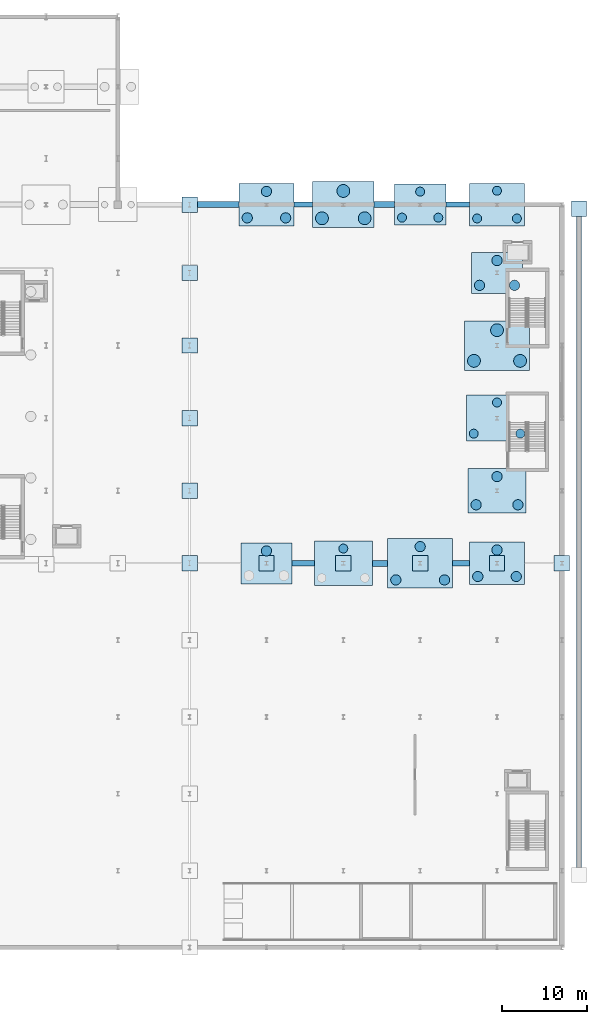
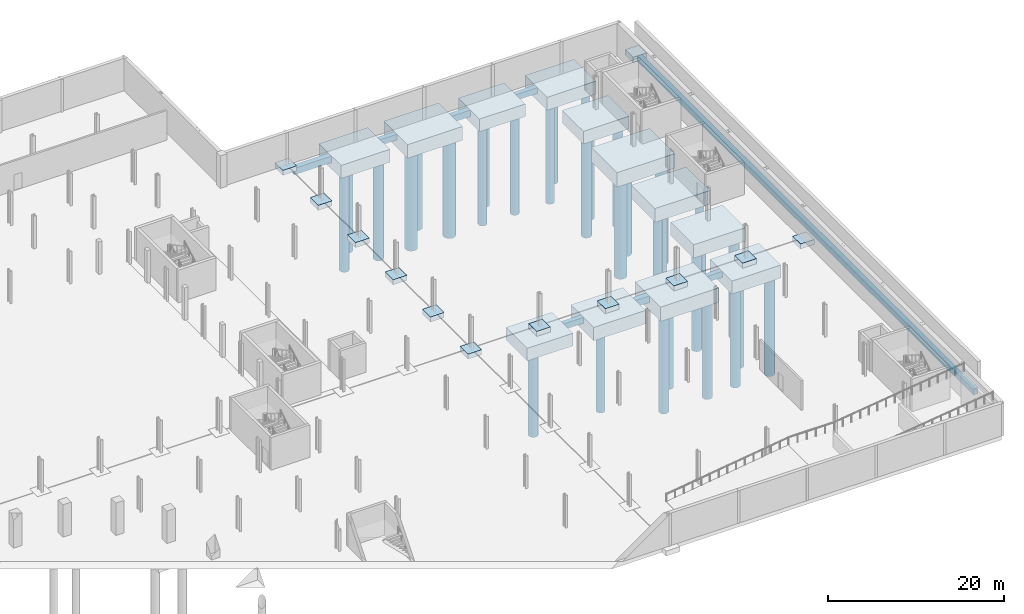
# One storey, part 3 of 45: 32 footings, 32 piles.
"""IFC4 building model written with IfcOpenShell, lengths in metres."""

from ifc_helpers import new_model, si_unit, direction, frame, origin, origin_2d, place, context, subcontext, project, spatial, rectangle, circle, extrude, material, material_profile, profile_set, type_object, element, save


model = new_model("IFC4")

# Units and contexts
model_context = context("Model", 3, precision=1e-05, world=origin(), true_north=direction((0.0, 1.0)))
body_context = subcontext(model_context, "Body", "Model", "MODEL_VIEW")
ifc_project = project(units=[si_unit("LENGTHUNIT", "METRE"), si_unit("AREAUNIT", "SQUARE_METRE"), si_unit("VOLUMEUNIT", "CUBIC_METRE"), si_unit("PLANEANGLEUNIT", "RADIAN"), si_unit("MASSUNIT", "GRAM", prefix="KILO")], contexts=[model_context])

# Site, building, storey
site_placement = place(None, origin())
site = spatial("IfcSite", under=ifc_project, at=site_placement, CompositionType="ELEMENT")
building_placement = place(site_placement, origin())
building = spatial("IfcBuilding", under=site, at=building_placement, Name="Sefraquen Railside Congress Hotel", CompositionType="ELEMENT")
storey_placement = place(building_placement, frame((0.0, 0.0, -4.5)))
storey = spatial("IfcBuildingStorey", under=building, at=storey_placement, Name="B01", CompositionType="ELEMENT", Elevation=-4.5)

# Footings
ifc_material_1 = material(Name="Concrete C40/50", Category="concrete")
footing_type_1 = type_object("IfcFootingType", Name="TF-FB-01", PredefinedType="FOOTING_BEAM", material=ifc_material_1)
footing_1_placement = place(storey_placement, frame((141.699951171875, 54.0, -1.5), z_axis=(0.0, 0.0, 1.0), x_axis=(1.0, 0.0, 0.0)))
element("IfcFooting", 1, at=footing_1_placement, inside=storey, type_object=footing_type_1, Name="Foundation tie beam FTG-FB-003", PredefinedType="FOOTING_BEAM", context=body_context, shape_type="SweptSolid", body=[
    extrude(rectangle(XDim=2.597900390625, YDim=0.60009765625, at=origin_2d()), origin(), (0.0, 0.0, 1.0), 0.800048828125),
])
footing_2_placement = place(storey_placement, frame((160.199951171875, 54.0, -1.5), z_axis=(0.0, 0.0, 1.0), x_axis=(1.0, 0.0, 0.0)))
element("IfcFooting", 2, at=footing_2_placement, inside=storey, type_object=footing_type_1, Name="Foundation tie beam FTG-FB-005", PredefinedType="FOOTING_BEAM", context=body_context, shape_type="SweptSolid", body=[
    extrude(rectangle(XDim=1.998046875, YDim=0.60009765625, at=origin_2d()), origin(), (0.0, 0.0, 1.0), 0.800048828125),
])
footing_3_placement = place(storey_placement, frame((141.699951171875, 96.0, -1.5), z_axis=(0.0, 0.0, 1.0), x_axis=(1.0, 0.0, 0.0)))
element("IfcFooting", 3, at=footing_3_placement, inside=storey, type_object=footing_type_1, Name="Foundation tie beam FTG-FB-017", PredefinedType="FOOTING_BEAM", context=body_context, shape_type="SweptSolid", body=[
    extrude(rectangle(XDim=2.197998046875, YDim=0.60009765625, at=origin_2d()), origin(), (0.0, 0.0, 1.0), 0.800048828125),
])
footing_4_placement = place(storey_placement, frame((159.800048828125, 96.0, -1.5), z_axis=(0.0, 0.0, 1.0), x_axis=(1.0, 0.0, 0.0)))
element("IfcFooting", 4, at=footing_4_placement, inside=storey, type_object=footing_type_1, Name="Foundation tie beam FTG-FB-019", PredefinedType="FOOTING_BEAM", context=body_context, shape_type="SweptSolid", body=[
    extrude(rectangle(XDim=2.798095703125, YDim=0.60009765625, at=origin_2d()), origin(), (0.0, 0.0, 1.0), 0.800048828125),
])
footing_5_placement = place(storey_placement, frame((174.0, 56.5, -0.7998046875), z_axis=(0.0, 0.0, 1.0), x_axis=(1.0, 0.0, 0.0)))
element("IfcFooting", 5, at=footing_5_placement, inside=storey, type_object=footing_type_1, Name="East walkway frost strip footing", PredefinedType="FOOTING_BEAM", context=body_context, shape_type="SweptSolid", body=[
    extrude(rectangle(XDim=0.60009765625, YDim=76.199951171875, at=origin_2d()), origin(), (0.0, 0.0, 1.0), 0.800048828125),
])
footing_type_2 = type_object("IfcFootingType", Name="TF-FB-02", PredefinedType="FOOTING_BEAM", material=ifc_material_1)
footing_6_placement = place(storey_placement, frame((150.699951171875, 54.0, -1.599853515625), z_axis=(0.0, 0.0, 1.0), x_axis=(1.0, 0.0, 0.0)))
element("IfcFooting", 6, at=footing_6_placement, inside=storey, type_object=footing_type_2, Name="Foundation tie beam FTG-FB-004", PredefinedType="FOOTING_BEAM", context=body_context, shape_type="SweptSolid", body=[
    extrude(rectangle(XDim=1.798095703125, YDim=0.699951171875, at=origin_2d()), origin(), (0.0, 0.0, 1.0), 0.89990234375),
])
footing_7_placement = place(storey_placement, frame((131.75, 96.0, -1.599853515625), z_axis=(0.0, 0.0, 1.0), x_axis=(1.0, 0.0, 0.0)))
element("IfcFooting", 7, at=footing_7_placement, inside=storey, type_object=footing_type_2, Name="Foundation tie beam FTG-FB-016", PredefinedType="FOOTING_BEAM", context=body_context, shape_type="SweptSolid", body=[
    extrude(rectangle(XDim=4.89794921875, YDim=0.699951171875, at=origin_2d()), origin(), (0.0, 0.0, 1.0), 0.89990234375),
])
footing_8_placement = place(storey_placement, frame((151.199951171875, 96.0, -1.599853515625), z_axis=(0.0, 0.0, 1.0), x_axis=(1.0, 0.0, 0.0)))
element("IfcFooting", 8, at=footing_8_placement, inside=storey, type_object=footing_type_2, Name="Foundation tie beam FTG-FB-018", PredefinedType="FOOTING_BEAM", context=body_context, shape_type="SweptSolid", body=[
    extrude(rectangle(XDim=2.39794921875, YDim=0.699951171875, at=origin_2d()), origin(), (0.0, 0.0, 1.0), 0.89990234375),
])
footing_type_3 = type_object("IfcFootingType", Name="TF-PC-14", PredefinedType="PILE_CAP", material=ifc_material_1)
for number, where, z_axis, x_axis, name in (
    (9, (137.39990234375, 54.0, -2.449951171875), (0.0, 0.0, 1.0), (1.0, 0.0, 0.0), "Reinforced concrete pile cap FTG-PC-001"),
    (10, (155.39990234375, 96.0, -2.449951171875), (0.0, 0.0, 1.0), (1.0, 0.0, 0.0), "Reinforced concrete pile cap FTG-PC-006"),
    (11, (164.39990234375, 88.0, -2.449951171875), (0.0, 0.0, 1.0), (1.0, 0.0, 0.0), "Reinforced concrete pile cap FTG-PC-011"),
):
    element("IfcFooting", number, at=place(storey_placement, frame(where, z_axis=z_axis, x_axis=x_axis)), inside=storey, type_object=footing_type_3, Name=name, PredefinedType="PILE_CAP", context=body_context, shape_type="SweptSolid", body=[
        extrude(rectangle(XDim=6.0, YDim=4.800048828125, at=origin_2d()), origin(), (0.0, 0.0, 1.0), 1.75),
    ])
footing_type_4 = type_object("IfcFootingType", Name="TF-PC-15", PredefinedType="PILE_CAP", material=ifc_material_1)
for number, where, z_axis, x_axis, name in (
    (12, (137.39990234375, 96.0, -2.5), (0.0, 0.0, 1.0), (1.0, 0.0, 0.0), "Reinforced concrete pile cap FTG-PC-002"),
    (13, (164.39990234375, 54.0, -2.5), (0.0, 0.0, 1.0), (1.0, 0.0, 0.0), "Reinforced concrete pile cap FTG-PC-007"),
    (14, (164.39990234375, 96.0, -2.5), (0.0, 0.0, 1.0), (1.0, 0.0, 0.0), "Reinforced concrete pile cap FTG-PC-012"),
):
    element("IfcFooting", number, at=place(storey_placement, frame(where, z_axis=z_axis, x_axis=x_axis)), inside=storey, type_object=footing_type_4, Name=name, PredefinedType="PILE_CAP", context=body_context, shape_type="SweptSolid", body=[
        extrude(rectangle(XDim=6.39990234375, YDim=5.0, at=origin_2d()), origin(), (0.0, 0.0, 1.0), 1.800048828125),
    ])
footing_type_5 = type_object("IfcFootingType", Name="TF-PC-16", PredefinedType="PILE_CAP", material=ifc_material_1)
for number, where, z_axis, x_axis, name in (
    (15, (146.39990234375, 54.0, -2.550048828125), (0.0, 0.0, 1.0), (1.0, 0.0, 0.0), "Reinforced concrete pile cap FTG-PC-003"),
    (16, (164.39990234375, 62.5, -2.550048828125), (0.0, 0.0, 1.0), (1.0, 0.0, 0.0), "Reinforced concrete pile cap FTG-PC-008"),
):
    element("IfcFooting", number, at=place(storey_placement, frame(where, z_axis=z_axis, x_axis=x_axis)), inside=storey, type_object=footing_type_5, Name=name, PredefinedType="PILE_CAP", context=body_context, shape_type="SweptSolid", body=[
        extrude(rectangle(XDim=6.800048828125, YDim=5.199951171875, at=origin_2d()), origin(), (0.0, 0.0, 1.0), 1.85009765625),
    ])
footing_type_6 = type_object("IfcFootingType", Name="TF-PC-17", PredefinedType="PILE_CAP", material=ifc_material_1)
for number, where, z_axis, x_axis, name in (
    (17, (146.39990234375, 96.0, -2.599853515625), (0.0, 0.0, 1.0), (1.0, 0.0, 0.0), "Reinforced concrete pile cap FTG-PC-004"),
    (18, (164.39990234375, 71.0, -2.599853515625), (0.0, 0.0, 1.0), (1.0, 0.0, 0.0), "Reinforced concrete pile cap FTG-PC-009"),
):
    element("IfcFooting", number, at=place(storey_placement, frame(where, z_axis=z_axis, x_axis=x_axis)), inside=storey, type_object=footing_type_6, Name=name, PredefinedType="PILE_CAP", context=body_context, shape_type="SweptSolid", body=[
        extrude(rectangle(XDim=7.199951171875, YDim=5.39990234375, at=origin_2d()), origin(), (0.0, 0.0, 1.0), 1.89990234375),
    ])
footing_type_7 = type_object("IfcFootingType", Name="TF-PC-18", PredefinedType="PILE_CAP", material=ifc_material_1)
for number, where, z_axis, x_axis, name in (
    (19, (155.39990234375, 54.0, -2.699951171875), (0.0, 0.0, 1.0), (1.0, 0.0, 0.0), "Reinforced concrete pile cap FTG-PC-005"),
    (20, (164.39990234375, 79.5, -2.699951171875), (0.0, 0.0, 1.0), (1.0, 0.0, 0.0), "Reinforced concrete pile cap FTG-PC-010"),
):
    element("IfcFooting", number, at=place(storey_placement, frame(where, z_axis=z_axis, x_axis=x_axis)), inside=storey, type_object=footing_type_7, Name=name, PredefinedType="PILE_CAP", context=body_context, shape_type="SweptSolid", body=[
        extrude(rectangle(XDim=7.60009765625, YDim=5.800048828125, at=origin_2d()), origin(), (0.0, 0.0, 1.0), 2.0),
    ])
footing_type_8 = type_object("IfcFootingType", Name="TF-PF-01", PredefinedType="PAD_FOOTING", material=ifc_material_1)
footing_9_placement = place(storey_placement, frame((174.0, 95.5, -0.75), z_axis=(0.0, 0.0, 1.0), x_axis=(1.0, 0.0, 0.0)))
element("IfcFooting", 21, at=footing_9_placement, inside=storey, type_object=footing_type_8, Name="East walkway north corner pad footing", PredefinedType="PAD_FOOTING", context=body_context, shape_type="SweptSolid", body=[
    extrude(rectangle(XDim=1.800048828125, YDim=1.800048828125, at=origin_2d()), origin(), (0.0, 0.0, 1.0), 0.75),
])
footing_type_9 = type_object("IfcFootingType", Name="TF-PF-05", PredefinedType="PAD_FOOTING", material=ifc_material_1)
for number, where, z_axis, x_axis, name in (
    (22, (128.39990234375, 54.0, -0.7001953125), (0.0, 0.0, 1.0), (1.0, 0.0, 0.0), "Movement joint column foundation pedestal 08"),
    (23, (128.39990234375, 62.5, -0.7001953125), (0.0, 0.0, 1.0), (1.0, 0.0, 0.0), "Movement joint column foundation pedestal 09"),
    (24, (128.39990234375, 71.0, -0.7001953125), (0.0, 0.0, 1.0), (1.0, 0.0, 0.0), "Movement joint column foundation pedestal 10"),
    (25, (128.39990234375, 79.5, -0.7001953125), (0.0, 0.0, 1.0), (1.0, 0.0, 0.0), "Movement joint column foundation pedestal 11"),
    (26, (128.39990234375, 88.0, -0.7001953125), (0.0, 0.0, 1.0), (1.0, 0.0, 0.0), "Movement joint column foundation pedestal 12"),
    (27, (128.39990234375, 96.0, -0.7001953125), (0.0, 0.0, 1.0), (1.0, 0.0, 0.0), "Movement joint column foundation pedestal 13"),
    (28, (164.39990234375, 54.0, -0.7001953125), (0.0, 0.0, 1.0), (1.0, 0.0, 0.0), "Movement joint column foundation pedestal 14"),
    (29, (172.0, 54.0, -0.7001953125), (0.0, 0.0, 1.0), (1.0, 0.0, 0.0), "Movement joint column foundation pedestal 15"),
    (30, (137.39990234375, 54.0, -0.7001953125), (0.0, 0.0, 1.0), (1.0, 0.0, 0.0), "Movement joint column foundation pedestal 16"),
    (31, (146.39990234375, 54.0, -0.7001953125), (0.0, 0.0, 1.0), (1.0, 0.0, 0.0), "Movement joint column foundation pedestal 17"),
    (32, (155.39990234375, 54.0, -0.7001953125), (0.0, 0.0, 1.0), (1.0, 0.0, 0.0), "Movement joint column foundation pedestal 18"),
):
    element("IfcFooting", number, at=place(storey_placement, frame(where, z_axis=z_axis, x_axis=x_axis)), inside=storey, type_object=footing_type_9, Name=name, PredefinedType="PAD_FOOTING", context=body_context, shape_type="SweptSolid", body=[
        extrude(rectangle(XDim=1.800048828125, YDim=1.800048828125, at=origin_2d()), origin(), (0.0, 0.0, 1.0), 0.699951171875),
    ])

# Piles
ifc_material_2 = material(Name="Concrete C35/45", Category="concrete")
ifc_material_profile_1 = material_profile(ifc_material_2, circle(Radius=0.52490234375, at=origin_2d()), Name="BORED PILE 1050")
ifc_profile_set_1 = profile_set([ifc_material_profile_1], Name="Concrete C35/45")
pile_type_1 = type_object("IfcPileType", Name="TPL-BP-1050", PredefinedType="BORED", material=ifc_profile_set_1)
pile_1_placement = place(storey_placement, frame((146.39990234375, 55.72509765625, -2.449951171875), z_axis=(0.0, 0.0, -1.0), x_axis=(1.0, 0.0, 0.0)))
element("IfcPile", 33, at=pile_1_placement, inside=storey, type_object=pile_type_1, Name="Bored foundation pile PIL-B01-045", PredefinedType="BORED", context=body_context, shape_type="SweptSolid", body=[
    extrude(circle(Radius=0.52490234375, at=origin_2d()), origin(), (0.0, 0.0, 1.0), 13.550048828125),
])
for number, where, z_axis, x_axis, name in (
    (34, (153.27490234375, 94.47509765625, -2.35009765625), (0.0, 0.0, -1.0), (1.0, 0.0, 0.0), "Bored foundation pile PIL-B01-052"),
    (35, (157.52490234375, 94.47509765625, -2.35009765625), (0.0, 0.0, -1.0), (1.0, 0.0, 0.0), "Bored foundation pile PIL-B01-053"),
    (36, (155.39990234375, 97.52490234375, -2.35009765625), (0.0, 0.0, -1.0), (1.0, 0.0, 0.0), "Bored foundation pile PIL-B01-054"),
):
    element("IfcPile", number, at=place(storey_placement, frame(where, z_axis=z_axis, x_axis=x_axis)), inside=storey, type_object=pile_type_1, Name=name, PredefinedType="BORED", context=body_context, shape_type="SweptSolid", body=[
        extrude(circle(Radius=0.52490234375, at=origin_2d()), origin(), (0.0, 0.0, 1.0), 13.64990234375),
    ])
for number, where, z_axis, x_axis, name in (
    (37, (161.675048828125, 69.175048828125, -2.5), (0.0, 0.0, -1.0), (1.0, 0.0, 0.0), "Bored foundation pile PIL-B01-061"),
    (38, (167.125, 69.175048828125, -2.5), (0.0, 0.0, -1.0), (1.0, 0.0, 0.0), "Bored foundation pile PIL-B01-062"),
    (39, (164.39990234375, 72.824951171875, -2.5), (0.0, 0.0, -1.0), (1.0, 0.0, 0.0), "Bored foundation pile PIL-B01-063"),
):
    element("IfcPile", number, at=place(storey_placement, frame(where, z_axis=z_axis, x_axis=x_axis)), inside=storey, type_object=pile_type_1, Name=name, PredefinedType="BORED", context=body_context, shape_type="SweptSolid", body=[
        extrude(circle(Radius=0.52490234375, at=origin_2d()), origin(), (0.0, 0.0, 1.0), 13.5),
    ])
for number, where, z_axis, x_axis, name in (
    (40, (162.074951171875, 94.375, -2.39990234375), (0.0, 0.0, -1.0), (1.0, 0.0, 0.0), "Bored foundation pile PIL-B01-070"),
    (41, (166.72509765625, 94.375, -2.39990234375), (0.0, 0.0, -1.0), (1.0, 0.0, 0.0), "Bored foundation pile PIL-B01-071"),
    (42, (164.39990234375, 97.625, -2.39990234375), (0.0, 0.0, -1.0), (1.0, 0.0, 0.0), "Bored foundation pile PIL-B01-072"),
):
    element("IfcPile", number, at=place(storey_placement, frame(where, z_axis=z_axis, x_axis=x_axis)), inside=storey, type_object=pile_type_1, Name=name, PredefinedType="BORED", context=body_context, shape_type="SweptSolid", body=[
        extrude(circle(Radius=0.52490234375, at=origin_2d()), origin(), (0.0, 0.0, 1.0), 13.60009765625),
    ])
ifc_material_profile_2 = material_profile(ifc_material_2, circle(Radius=0.60009765625, at=origin_2d()), Name="BORED PILE 1200")
ifc_profile_set_2 = profile_set([ifc_material_profile_2], Name="Concrete C35/45")
pile_type_2 = type_object("IfcPileType", Name="TPL-BP-1200", PredefinedType="BORED", material=ifc_profile_set_2)
pile_2_placement = place(storey_placement, frame((137.39990234375, 55.449951171875, -2.35009765625), z_axis=(0.0, 0.0, -1.0), x_axis=(1.0, 0.0, 0.0)))
element("IfcPile", 43, at=pile_2_placement, inside=storey, type_object=pile_type_2, Name="Bored foundation pile PIL-B01-039", PredefinedType="BORED", context=body_context, shape_type="SweptSolid", body=[
    extrude(circle(Radius=0.60009765625, at=origin_2d()), origin(), (0.0, 0.0, 1.0), 13.64990234375),
])
for number, where, z_axis, x_axis, name in (
    (44, (135.14990234375, 94.449951171875, -2.39990234375), (0.0, 0.0, -1.0), (1.0, 0.0, 0.0), "Bored foundation pile PIL-B01-040"),
    (45, (139.64990234375, 94.449951171875, -2.39990234375), (0.0, 0.0, -1.0), (1.0, 0.0, 0.0), "Bored foundation pile PIL-B01-041"),
    (46, (137.39990234375, 97.550048828125, -2.39990234375), (0.0, 0.0, -1.0), (1.0, 0.0, 0.0), "Bored foundation pile PIL-B01-042"),
):
    element("IfcPile", number, at=place(storey_placement, frame(where, z_axis=z_axis, x_axis=x_axis)), inside=storey, type_object=pile_type_2, Name=name, PredefinedType="BORED", context=body_context, shape_type="SweptSolid", body=[
        extrude(circle(Radius=0.60009765625, at=origin_2d()), origin(), (0.0, 0.0, 1.0), 13.60009765625),
    ])
for number, where, z_axis, x_axis, name in (
    (47, (152.550048828125, 52.050048828125, -2.60009765625), (0.0, 0.0, -1.0), (1.0, 0.0, 0.0), "Bored foundation pile PIL-B01-049"),
    (48, (158.25, 52.050048828125, -2.60009765625), (0.0, 0.0, -1.0), (1.0, 0.0, 0.0), "Bored foundation pile PIL-B01-050"),
    (49, (155.39990234375, 55.949951171875, -2.60009765625), (0.0, 0.0, -1.0), (1.0, 0.0, 0.0), "Bored foundation pile PIL-B01-051"),
):
    element("IfcPile", number, at=place(storey_placement, frame(where, z_axis=z_axis, x_axis=x_axis)), inside=storey, type_object=pile_type_2, Name=name, PredefinedType="BORED", context=body_context, shape_type="SweptSolid", body=[
        extrude(circle(Radius=0.60009765625, at=origin_2d()), origin(), (0.0, 0.0, 1.0), 13.39990234375),
    ])
for number, where, z_axis, x_axis, name in (
    (50, (162.14990234375, 52.449951171875, -2.39990234375), (0.0, 0.0, -1.0), (1.0, 0.0, 0.0), "Bored foundation pile PIL-B01-055"),
    (51, (166.64990234375, 52.449951171875, -2.39990234375), (0.0, 0.0, -1.0), (1.0, 0.0, 0.0), "Bored foundation pile PIL-B01-056"),
    (52, (164.39990234375, 55.550048828125, -2.39990234375), (0.0, 0.0, -1.0), (1.0, 0.0, 0.0), "Bored foundation pile PIL-B01-057"),
):
    element("IfcPile", number, at=place(storey_placement, frame(where, z_axis=z_axis, x_axis=x_axis)), inside=storey, type_object=pile_type_2, Name=name, PredefinedType="BORED", context=body_context, shape_type="SweptSolid", body=[
        extrude(circle(Radius=0.60009765625, at=origin_2d()), origin(), (0.0, 0.0, 1.0), 13.60009765625),
    ])
for number, where, z_axis, x_axis, name in (
    (53, (161.949951171875, 60.85009765625, -2.449951171875), (0.0, 0.0, -1.0), (1.0, 0.0, 0.0), "Bored foundation pile PIL-B01-058"),
    (54, (166.85009765625, 60.85009765625, -2.449951171875), (0.0, 0.0, -1.0), (1.0, 0.0, 0.0), "Bored foundation pile PIL-B01-059"),
    (55, (164.39990234375, 64.14990234375, -2.449951171875), (0.0, 0.0, -1.0), (1.0, 0.0, 0.0), "Bored foundation pile PIL-B01-060"),
):
    element("IfcPile", number, at=place(storey_placement, frame(where, z_axis=z_axis, x_axis=x_axis)), inside=storey, type_object=pile_type_2, Name=name, PredefinedType="BORED", context=body_context, shape_type="SweptSolid", body=[
        extrude(circle(Radius=0.60009765625, at=origin_2d()), origin(), (0.0, 0.0, 1.0), 13.550048828125),
    ])
for number, where, z_axis, x_axis, name in (
    (56, (162.35009765625, 86.550048828125, -2.35009765625), (0.0, 0.0, -1.0), (1.0, 0.0, 0.0), "Bored foundation pile PIL-B01-067"),
    (57, (166.449951171875, 86.550048828125, -2.35009765625), (0.0, 0.0, -1.0), (1.0, 0.0, 0.0), "Bored foundation pile PIL-B01-068"),
    (58, (164.39990234375, 89.449951171875, -2.35009765625), (0.0, 0.0, -1.0), (1.0, 0.0, 0.0), "Bored foundation pile PIL-B01-069"),
):
    element("IfcPile", number, at=place(storey_placement, frame(where, z_axis=z_axis, x_axis=x_axis)), inside=storey, type_object=pile_type_2, Name=name, PredefinedType="BORED", context=body_context, shape_type="SweptSolid", body=[
        extrude(circle(Radius=0.60009765625, at=origin_2d()), origin(), (0.0, 0.0, 1.0), 13.64990234375),
    ])
ifc_material_profile_3 = material_profile(ifc_material_2, circle(Radius=0.75, at=origin_2d()), Name="BORED PILE 1500")
ifc_profile_set_3 = profile_set([ifc_material_profile_3], Name="Concrete C35/45")
pile_type_3 = type_object("IfcPileType", Name="TPL-BP-1500", PredefinedType="BORED", material=ifc_profile_set_3)
for number, where, z_axis, x_axis, name in (
    (59, (143.89990234375, 94.39990234375, -2.5), (0.0, 0.0, -1.0), (1.0, 0.0, 0.0), "Bored foundation pile PIL-B01-046"),
    (60, (148.89990234375, 94.39990234375, -2.5), (0.0, 0.0, -1.0), (1.0, 0.0, 0.0), "Bored foundation pile PIL-B01-047"),
    (61, (146.39990234375, 97.60009765625, -2.5), (0.0, 0.0, -1.0), (1.0, 0.0, 0.0), "Bored foundation pile PIL-B01-048"),
):
    element("IfcPile", number, at=place(storey_placement, frame(where, z_axis=z_axis, x_axis=x_axis)), inside=storey, type_object=pile_type_3, Name=name, PredefinedType="BORED", context=body_context, shape_type="SweptSolid", body=[
        extrude(circle(Radius=0.75, at=origin_2d()), origin(), (0.0, 0.0, 1.0), 13.5),
    ])
for number, where, z_axis, x_axis, name in (
    (62, (161.699951171875, 77.699951171875, -2.60009765625), (0.0, 0.0, -1.0), (1.0, 0.0, 0.0), "Bored foundation pile PIL-B01-064"),
    (63, (167.10009765625, 77.699951171875, -2.60009765625), (0.0, 0.0, -1.0), (1.0, 0.0, 0.0), "Bored foundation pile PIL-B01-065"),
    (64, (164.39990234375, 81.300048828125, -2.60009765625), (0.0, 0.0, -1.0), (1.0, 0.0, 0.0), "Bored foundation pile PIL-B01-066"),
):
    element("IfcPile", number, at=place(storey_placement, frame(where, z_axis=z_axis, x_axis=x_axis)), inside=storey, type_object=pile_type_3, Name=name, PredefinedType="BORED", context=body_context, shape_type="SweptSolid", body=[
        extrude(circle(Radius=0.75, at=origin_2d()), origin(), (0.0, 0.0, 1.0), 13.39990234375),
    ])

save(model, "model.ifc")
